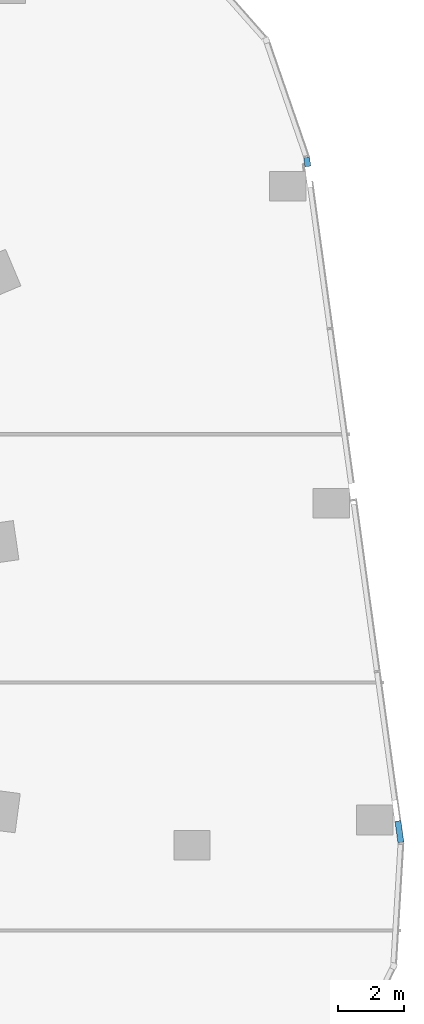
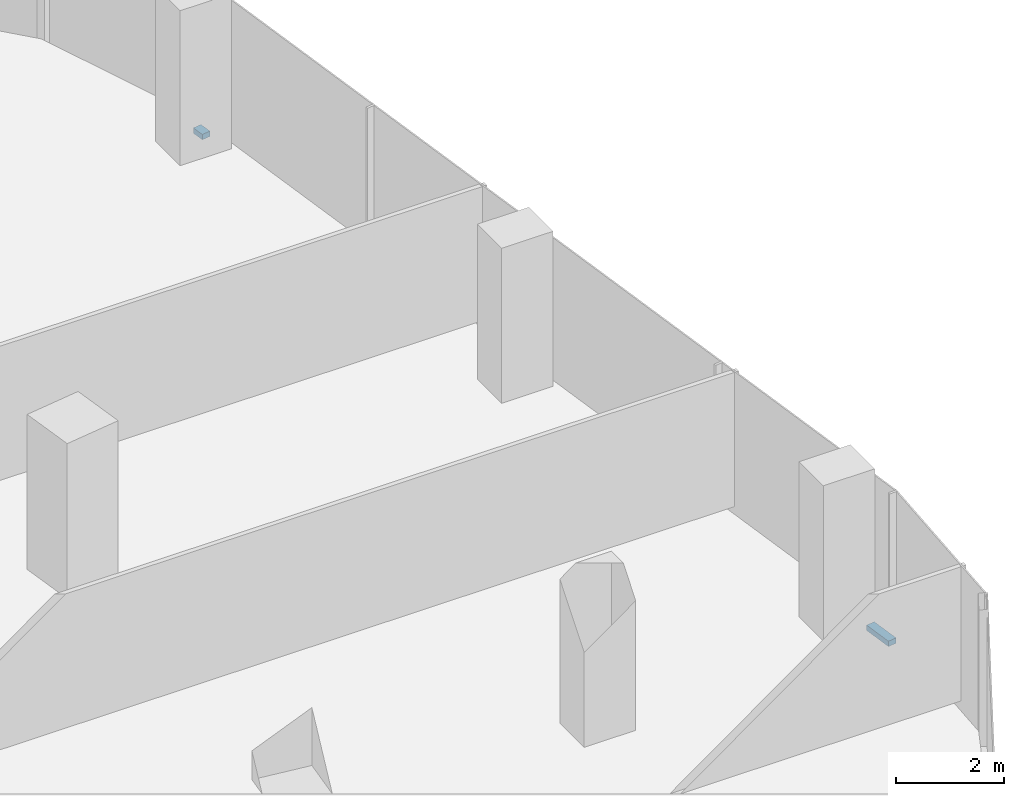
# One storey, part 12 of 27: 2 members, 1 element without a shape of its own.
"""IFC4 building model written with IfcOpenShell, lengths in metres."""

import ifcopenshell
import ifcopenshell.guid

model = None  # the IFC model being written
_history = None  # IfcOwnerHistory: only IFC2X3 demands one
_inside = {}  # id of a spatial element -> (the spatial element, [elements in it])
_under = {}  # id of a project, library or spatial element -> (it, [spatial elements below it])
_declared = {}  # id of a project -> (the project, [libraries it declares])
_typed = {}  # id of a type object -> (the type object, [elements of that type])
_made_of = {}  # id of a material, layer set ... -> (it, [elements and type objects made of it])


def new_model(schema):
    """Start an empty IFC model of exactly this schema.

    Asked for "IFC4X3", IfcOpenShell would pick the latest addendum, in which some entities
    have other attributes; the version numbers below select the first issue.
    IFC2X3 requires an IfcOwnerHistory on every rooted entity: one is made here for all.
    """
    global model, _history
    if schema == "IFC4X3":
        model = ifcopenshell.file(schema_version=(4, 3, 0, 0))
    else:
        model = ifcopenshell.file(schema=schema)
    _inside.clear()
    _under.clear()
    _declared.clear()
    _typed.clear()
    _made_of.clear()
    _history = None
    if model.schema == "IFC2X3":
        org = make("IfcOrganization", Name="unknown")
        user = make(
            "IfcPersonAndOrganization",
            ThePerson=make("IfcPerson", FamilyName="unknown"),
            TheOrganization=org,
        )
        app = make(
            "IfcApplication",
            ApplicationDeveloper=org,
            Version="unknown",
            ApplicationFullName="unknown",
            ApplicationIdentifier="unknown",
        )
        _history = make(
            "IfcOwnerHistory",
            OwningUser=user,
            OwningApplication=app,
            ChangeAction="ADDED",
            CreationDate=0,
        )
    return model


def make(cls, **values):
    """One entity of the class cls with the attributes given. An attribute that is None is left unset."""
    return model.create_entity(
        cls, **{name: value for name, value in values.items() if value is not None}
    )


def rooted(cls, **values):
    """An entity with a GlobalId (a new one), such as an element, a storey or a relation."""
    return make(cls, GlobalId=ifcopenshell.guid.new(), OwnerHistory=_history, **values)


def si_unit(unit_type, name, prefix=None):
    """IfcSIUnit, for example si_unit("LENGTHUNIT", "METRE", prefix="MILLI")."""
    return make("IfcSIUnit", UnitType=unit_type, Prefix=prefix, Name=name)


def assignment(units):
    """IfcUnitAssignment: the units of a project."""
    return None if units is None else make("IfcUnitAssignment", Units=units)


def point(xyz):
    """IfcCartesianPoint."""
    return None if xyz is None else make("IfcCartesianPoint", Coordinates=xyz)


def direction(xyz):
    """IfcDirection."""
    return None if xyz is None else make("IfcDirection", DirectionRatios=xyz)


def frame(location, z_axis=None, x_axis=None):
    """IfcAxis2Placement3D, a coordinate frame: its origin and axes. An axis left out is left unset."""
    return make(
        "IfcAxis2Placement3D",
        Location=point(location),
        Axis=direction(z_axis),
        RefDirection=direction(x_axis),
    )


def frame_2d(location, x_axis=None):
    """IfcAxis2Placement2D, a coordinate frame in the plane: its origin and x axis."""
    return make(
        "IfcAxis2Placement2D", Location=point(location), RefDirection=direction(x_axis)
    )


def origin():
    """The frame at (0, 0, 0) with its axes left unset."""
    return frame((0.0, 0.0, 0.0))


def origin_2d():
    """The frame at (0, 0) in the plane with its x axis left unset."""
    return frame_2d((0.0, 0.0))


def place(relative_to, where):
    """IfcLocalPlacement: puts the frame where relative to a parent placement (None: the world)."""
    return make(
        "IfcLocalPlacement", PlacementRelTo=relative_to, RelativePlacement=where
    )


def context(
    kind, dimensions, precision=None, world=None, true_north=None, identifier=None
):
    """IfcGeometricRepresentationContext, for example the 3D "Model" context."""
    return make(
        "IfcGeometricRepresentationContext",
        ContextIdentifier=identifier,
        ContextType=kind,
        CoordinateSpaceDimension=dimensions,
        Precision=precision,
        WorldCoordinateSystem=world,
        TrueNorth=true_north,
    )


def subcontext(parent, identifier, kind, view, scale=None):
    """IfcGeometricRepresentationSubContext, for example "Body" below "Model"."""
    return make(
        "IfcGeometricRepresentationSubContext",
        ContextIdentifier=identifier,
        ContextType=kind,
        ParentContext=parent,
        TargetScale=scale,
        TargetView=view,
    )


def project(units=None, contexts=None):
    """IfcProject with its units and contexts."""
    return rooted(
        "IfcProject",
        Name="project",
        RepresentationContexts=contexts,
        UnitsInContext=assignment(units),
    )


def spatial(cls, under=None, at=None, **own):
    """A site, building, storey or space (cls), placed at a placement, below another one or the project."""
    s = rooted(cls, ObjectPlacement=at, **own)
    if under is not None:
        _under.setdefault(under.id(), (under, []))[1].append(s)
    return s


def profile(cls, at=None, kind="AREA", **sizes):
    """A parametric profile (cls). Its sizes go by their IFC names, for example OverallWidth=200.0."""
    return make(cls, ProfileType=kind, Position=at, **sizes)


def rectangle(**sizes):
    """IfcRectangleProfileDef."""
    return profile("IfcRectangleProfileDef", **sizes)


def extrude(swept, where, along, depth):
    """IfcExtrudedAreaSolid: the profile swept, set in the frame where, extruded along a direction by depth."""
    return make(
        "IfcExtrudedAreaSolid",
        SweptArea=swept,
        Position=where,
        ExtrudedDirection=direction(along),
        Depth=depth,
    )


def shape(context_of_items, identifier, shape_type, items):
    """IfcShapeRepresentation: the items that make up one representation, for example the "Body"."""
    return make(
        "IfcShapeRepresentation",
        ContextOfItems=context_of_items,
        RepresentationIdentifier=identifier,
        RepresentationType=shape_type,
        Items=items,
    )


def material(Name=None, Category=None):
    """IfcMaterial."""
    return make("IfcMaterial", Name=Name, Category=Category)


def material_profile(
    of_material, cross_section, Name=None, Category=None, Priority=None
):
    """IfcMaterialProfile: a cross section and its material."""
    return make(
        "IfcMaterialProfile",
        Name=Name,
        Material=of_material,
        Profile=cross_section,
        Priority=Priority,
        Category=Category,
    )


def profile_set(profiles, Name=None, composite=None):
    """IfcMaterialProfileSet."""
    return make(
        "IfcMaterialProfileSet",
        Name=Name,
        MaterialProfiles=profiles,
        CompositeProfile=composite,
    )


def made_of(thing, what):
    """Note that an element or type object is made of a material, layer set ...; save() writes the relation."""
    if what is not None:
        _made_of.setdefault(what.id(), (what, []))[1].append(thing)
    return thing


def type_object(cls, material=None, **own):
    """A type object (cls), such as IfcWallType, which elements share."""
    return made_of(rooted(cls, **own), material)


def element(
    cls,
    number,
    at=None,
    inside=None,
    cuts=None,
    type_object=None,
    material=None,
    context=None,
    identifier="Body",
    shape_type=None,
    held_by="IfcProductDefinitionShape",
    body=None,
    shapes=None,
    **own,
):
    """One element of the class cls, such as IfcWall. Its Tag is "e" and its number.

    at: its placement. inside: the storey or other place that contains it. cuts: it is an
    opening in that element (IfcRelVoidsElement). A single representation is given by context,
    identifier, shape_type and body (its items); several are given by shapes. held_by: the class
    of the entity that holds the representations. save() writes the other relations.
    """
    e = rooted(cls, Tag="e%d" % number, ObjectPlacement=at, **own)
    if body is not None:
        shapes = [shape(context, identifier, shape_type, body)]
    if shapes is not None:
        e.Representation = make(held_by, Representations=shapes)
    if inside is not None:
        _inside.setdefault(inside.id(), (inside, []))[1].append(e)
    if cuts is not None:
        rooted(
            "IfcRelVoidsElement", RelatingBuildingElement=cuts, RelatedOpeningElement=e
        )
    if type_object is not None:
        _typed.setdefault(type_object.id(), (type_object, []))[1].append(e)
    return made_of(e, material)


def aggregate(whole, parts):
    """IfcRelAggregates: a whole, such as a stair, and the parts it consists of."""
    return rooted("IfcRelAggregates", RelatingObject=whole, RelatedObjects=parts)


def save(model, path):
    """Write the relations noted so far, then the file.

    IfcRelAggregates (storeys below a building ...), IfcRelContainedInSpatialStructure (elements
    in a storey), IfcRelDefinesByType, IfcRelAssociatesMaterial and IfcRelDeclares: one each for
    every whole, place, type object, material and project.
    """
    for whole, parts in _under.values():
        aggregate(whole, parts)
    for where, things in _inside.values():
        rooted(
            "IfcRelContainedInSpatialStructure",
            RelatedElements=things,
            RelatingStructure=where,
        )
    for kind, things in _typed.values():
        rooted("IfcRelDefinesByType", RelatedObjects=things, RelatingType=kind)
    for what, things in _made_of.values():
        rooted("IfcRelAssociatesMaterial", RelatedObjects=things, RelatingMaterial=what)
    for by, libraries in _declared.values():
        rooted("IfcRelDeclares", RelatingContext=by, RelatedDefinitions=libraries)
    model.write(path)


model = new_model("IFC4")

# Units and contexts
model_context = context("Model", 3, precision=1e-05, world=origin(), true_north=direction((0.0, 1.0)))
body_context = subcontext(model_context, "Body", "Model", "MODEL_VIEW")
ifc_project = project(units=[si_unit("LENGTHUNIT", "METRE"), si_unit("AREAUNIT", "SQUARE_METRE"), si_unit("VOLUMEUNIT", "CUBIC_METRE"), si_unit("PLANEANGLEUNIT", "RADIAN"), si_unit("MASSUNIT", "GRAM", prefix="KILO")], contexts=[model_context])

# Site, building, storey
site_placement = place(None, origin())
site = spatial("IfcSite", under=ifc_project, at=site_placement, CompositionType="ELEMENT")
building_placement = place(site_placement, origin())
building = spatial("IfcBuilding", under=site, at=building_placement, Name="Orlundy Tower", CompositionType="ELEMENT")
storey_placement = place(building_placement, frame((0.0, 0.0, 199.10009765625)))
storey = spatial("IfcBuildingStorey", under=building, at=storey_placement, Name="L52", CompositionType="ELEMENT", Elevation=199.10009765625)

# Curtain wall, members
ifc_material_1 = material(Name="Aluminium bronze anodised", Category="aluminium")
curtain_wall_type = type_object("IfcCurtainWallType", Name="CW1 wall", PredefinedType="NOTDEFINED", material=ifc_material_1)
curtain_wall_placement = place(storey_placement, origin())
curtain_wall = element("IfcCurtainWall", 1, at=curtain_wall_placement, inside=storey, type_object=curtain_wall_type, Name="CW1 run 011", PredefinedType="NOTDEFINED")
ifc_material_2 = material(Name="Aluminium bronze anodised", Category="aluminium")
ifc_material_profile = material_profile(ifc_material_2, rectangle(XDim=0.179931640625, YDim=0.1201171875, at=origin_2d()), Name="CW1 transom 180x120")
ifc_profile_set = profile_set([ifc_material_profile], Name="Aluminium bronze anodised")
member_type = type_object("IfcMemberType", Name="CW1 transom 180x120", PredefinedType="USERDEFINED", material=ifc_profile_set)
member_1_placement = place(storey_placement, frame((38.782470703125, 15.918212890625, -0.360107421875), z_axis=(0.136031690974, -0.990704486237, 0.0), x_axis=(0.990704486237, 0.136031690974, 0.0)))
member_1 = element("IfcMember", 2, at=member_1_placement, type_object=member_type, Name="CW1 transom", ObjectType="TRANSOM", PredefinedType="USERDEFINED", context=body_context, shape_type="SweptSolid", body=[
    extrude(rectangle(XDim=0.179931640625, YDim=0.1201171875, at=origin_2d()), origin(), (0.0, 0.0, 1.0), 0.272705078125),
])
member_2_placement = place(storey_placement, frame((41.550048828125, -4.19970703125, -0.360107421875), z_axis=(0.136136648768, -0.990690069024, 0.0), x_axis=(0.990690069024, 0.136136648768, 0.0)))
member_2 = element("IfcMember", 3, at=member_2_placement, type_object=member_type, Name="CW1 transom", ObjectType="TRANSOM", PredefinedType="USERDEFINED", context=body_context, shape_type="SweptSolid", body=[
    extrude(rectangle(XDim=0.179931640625, YDim=0.1201171875, at=origin_2d()), origin(), (0.0, 0.0, 1.0), 0.659912109375),
])
aggregate(curtain_wall, [member_1, member_2])

save(model, "model.ifc")
